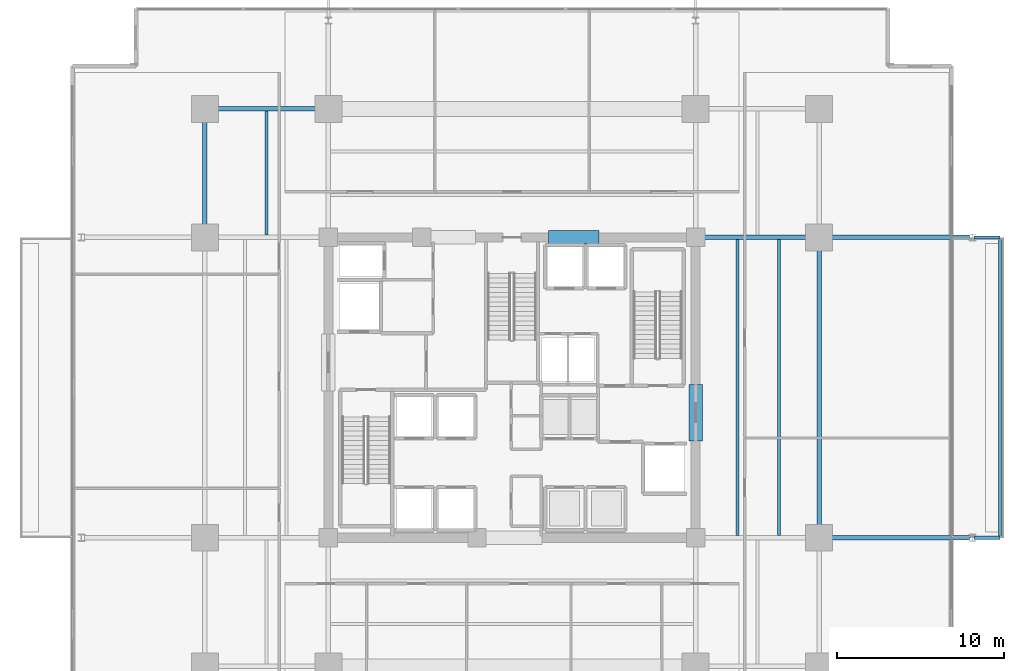
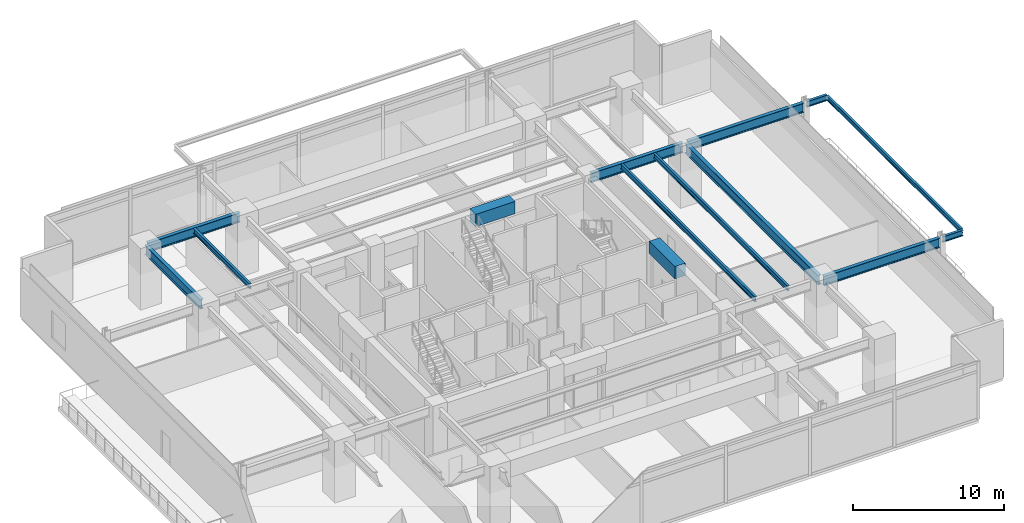
# One storey, part 7 of 24: 14 beams.
"""IFC4 building model written with IfcOpenShell, lengths in metres."""

from ifc_helpers import new_model, si_unit, direction, frame, origin, origin_2d, place, context, subcontext, project, spatial, rectangle, i_section, extrude, material, material_profile, profile_set, type_object, element, save


model = new_model("IFC4")

# Units and contexts
model_context = context("Model", 3, precision=1e-05, world=origin(), true_north=direction((0.0, 1.0)))
body_context = subcontext(model_context, "Body", "Model", "MODEL_VIEW")
ifc_project = project(units=[si_unit("LENGTHUNIT", "METRE"), si_unit("AREAUNIT", "SQUARE_METRE"), si_unit("VOLUMEUNIT", "CUBIC_METRE"), si_unit("PLANEANGLEUNIT", "RADIAN"), si_unit("MASSUNIT", "GRAM", prefix="KILO")], contexts=[model_context])

# Site, building, storey
site_placement = place(None, origin())
site = spatial("IfcSite", under=ifc_project, at=site_placement, CompositionType="ELEMENT")
building_placement = place(site_placement, origin())
building = spatial("IfcBuilding", under=site, at=building_placement, Name="Kovane Verandah Tower", CompositionType="ELEMENT")
storey_placement = place(building_placement, frame((0.0, 0.0, 118.39990234375)))
storey = spatial("IfcBuildingStorey", under=building, at=storey_placement, Name="L27", CompositionType="ELEMENT", Elevation=118.39990234375)

# Beams
ifc_material_1 = material(Name="Concrete C60/75", Category="concrete")
ifc_material_profile_1 = material_profile(ifc_material_1, rectangle(XDim=0.800048828125, YDim=1.0, at=origin_2d()), Name="RCB800x1000")
ifc_profile_set_1 = profile_set([ifc_material_profile_1], Name="Concrete C60/75")
beam_type_1 = type_object("IfcBeamType", Name="BM-LINTEL-800x1000", PredefinedType="LINTEL", material=ifc_profile_set_1)
beam_1_placement = place(storey_placement, frame((42.199951171875, 36.5, 4.2001953125), z_axis=(1.0, 0.0, 0.0), x_axis=(0.0, 1.0, 0.0)))
element("IfcBeam", 1, at=beam_1_placement, inside=storey, type_object=beam_type_1, Name="L27 Core Coupling Lintel CL-N2", PredefinedType="LINTEL", context=body_context, shape_type="SweptSolid", body=[
    extrude(rectangle(XDim=0.800048828125, YDim=1.0, at=origin_2d()), origin(), (0.0, 0.0, 1.0), 3.0),
])
beam_2_placement = place(storey_placement, frame((51.0, 24.300048828125, 4.2001953125), z_axis=(0.0, 1.0, 0.0), x_axis=(-1.0, 0.0, 0.0)))
element("IfcBeam", 2, at=beam_2_placement, inside=storey, type_object=beam_type_1, Name="L27 Core Coupling Lintel CL-E", PredefinedType="LINTEL", context=body_context, shape_type="SweptSolid", body=[
    extrude(rectangle(XDim=0.800048828125, YDim=1.0, at=origin_2d()), origin(), (0.0, 0.0, 1.0), 3.39990234375),
])
ifc_material_2 = material(Name="Steel S355", Category="steel")
ifc_material_profile_2 = material_profile(ifc_material_2, i_section(OverallWidth=0.26806640625, OverallDepth=0.769775390625, WebThickness=0.015625, FlangeThickness=0.025390625, FilletRadius=0.0166015625, at=origin_2d()), Name="UB762x267x197")
ifc_profile_set_2 = profile_set([ifc_material_profile_2], Name="Steel S355")
beam_type_2 = type_object("IfcBeamType", Name="BM-UB762x197", PredefinedType="BEAM", material=ifc_profile_set_2)
beam_3_placement = place(storey_placement, frame((21.780029296875, 44.199951171875, 4.315185546875), z_axis=(1.0, 0.0, 0.0), x_axis=(0.0, 1.0, 0.0)))
element("IfcBeam", 3, at=beam_3_placement, inside=storey, type_object=beam_type_2, Name="L27 Primary Tower Girder G-RN1", PredefinedType="BEAM", context=body_context, shape_type="SweptSolid", body=[
    extrude(i_section(OverallWidth=0.26806640625, OverallDepth=0.769775390625, WebThickness=0.015625, FlangeThickness=0.025390625, FilletRadius=0.0166015625, at=origin_2d()), origin(), (0.0, 0.0, 1.0), 7.0400390625),
])
beam_4_placement = place(storey_placement, frame((21.60009765625, 36.679931640625, 4.315185546875), z_axis=(0.0, 1.0, 0.0), x_axis=(-1.0, 0.0, 0.0)))
element("IfcBeam", 4, at=beam_4_placement, inside=storey, type_object=beam_type_2, Name="L27 Primary Tower Girder G-RW3", PredefinedType="BEAM", context=body_context, shape_type="SweptSolid", body=[
    extrude(i_section(OverallWidth=0.26806640625, OverallDepth=0.769775390625, WebThickness=0.015625, FlangeThickness=0.025390625, FilletRadius=0.0166015625, at=origin_2d()), origin(), (0.0, 0.0, 1.0), 7.340087890625),
])
beam_5_placement = place(storey_placement, frame((58.39990234375, 18.679931640625, 4.315185546875), z_axis=(0.0, 1.0, 0.0), x_axis=(-1.0, 0.0, 0.0)))
element("IfcBeam", 5, at=beam_5_placement, inside=storey, type_object=beam_type_2, Name="L27 Primary Tower Girder G-RE2", PredefinedType="BEAM", context=body_context, shape_type="SweptSolid", body=[
    extrude(i_section(OverallWidth=0.26806640625, OverallDepth=0.769775390625, WebThickness=0.015625, FlangeThickness=0.025390625, FilletRadius=0.0166015625, at=origin_2d()), origin(), (0.0, 0.0, 1.0), 17.64013671875),
])
beam_6_placement = place(storey_placement, frame((51.179931640625, 36.5, 4.315185546875), z_axis=(1.0, 0.0, 0.0), x_axis=(0.0, 1.0, 0.0)))
element("IfcBeam", 6, at=beam_6_placement, inside=storey, type_object=beam_type_2, Name="L27 Primary Tower Girder G-E2", PredefinedType="BEAM", context=body_context, shape_type="SweptSolid", body=[
    extrude(i_section(OverallWidth=0.26806640625, OverallDepth=0.769775390625, WebThickness=0.015625, FlangeThickness=0.025390625, FilletRadius=0.0166015625, at=origin_2d()), origin(), (0.0, 0.0, 1.0), 7.0400390625),
])
for number, where, z_axis, x_axis, name in (
    (7, (58.580078125, 18.5, 4.315185546875), (1.0, 0.0, 0.0), (0.0, 1.0, 0.0), "L27 Primary Tower Girder G-VE1"),
    (8, (58.580078125, 36.5, 4.315185546875), (1.0, 0.0, 0.0), (0.0, 1.0, 0.0), "L27 Primary Tower Girder G-VE2"),
):
    element("IfcBeam", number, at=place(storey_placement, frame(where, z_axis=z_axis, x_axis=x_axis)), inside=storey, type_object=beam_type_2, Name=name, PredefinedType="BEAM", context=body_context, shape_type="SweptSolid", body=[
        extrude(i_section(OverallWidth=0.26806640625, OverallDepth=0.769775390625, WebThickness=0.015625, FlangeThickness=0.025390625, FilletRadius=0.0166015625, at=origin_2d()), origin(), (0.0, 0.0, 1.0), 8.83984375),
    ])
ifc_material_profile_3 = material_profile(ifc_material_2, i_section(OverallWidth=0.179443359375, OverallDepth=0.412841796875, WebThickness=0.009521484375, FlangeThickness=0.01611328125, FilletRadius=0.01025390625, at=origin_2d()), Name="UB406x178x74")
ifc_profile_set_3 = profile_set([ifc_material_profile_3], Name="Steel S355")
beam_type_3 = type_object("IfcBeamType", Name="JST-UB406x74", PredefinedType="JOIST", material=ifc_profile_set_3)
for number, where, z_axis, x_axis, name in (
    (9, (53.5, 18.632080078125, 4.49365234375), (0.0, 1.0, 0.0), (-1.0, 0.0, 0.0), "L27 Secondary Composite Joist J-E1"),
    (10, (56.0, 18.632080078125, 4.49365234375), (0.0, 1.0, 0.0), (-1.0, 0.0, 0.0), "L27 Secondary Composite Joist J-E2"),
):
    element("IfcBeam", number, at=place(storey_placement, frame(where, z_axis=z_axis, x_axis=x_axis)), inside=storey, type_object=beam_type_3, Name=name, PredefinedType="JOIST", context=body_context, shape_type="SweptSolid", body=[
        extrude(i_section(OverallWidth=0.179443359375, OverallDepth=0.412841796875, WebThickness=0.009521484375, FlangeThickness=0.01611328125, FilletRadius=0.01025390625, at=origin_2d()), origin(), (0.0, 0.0, 1.0), 17.73583984375),
    ])
beam_7_placement = place(storey_placement, frame((25.300048828125, 36.632080078125, 4.49365234375), z_axis=(0.0, 1.0, 0.0), x_axis=(-1.0, 0.0, 0.0)))
element("IfcBeam", 11, at=beam_7_placement, inside=storey, type_object=beam_type_3, Name="L27 Secondary Composite Joist J-NW1", PredefinedType="JOIST", context=body_context, shape_type="SweptSolid", body=[
    extrude(i_section(OverallWidth=0.179443359375, OverallDepth=0.412841796875, WebThickness=0.009521484375, FlangeThickness=0.01611328125, FilletRadius=0.01025390625, at=origin_2d()), origin(), (0.0, 0.0, 1.0), 7.43603515625),
])
ifc_material_profile_4 = material_profile(ifc_material_2, i_section(OverallWidth=0.19287109375, OverallDepth=0.46728515625, WebThickness=0.011474609375, FlangeThickness=0.01953125, FilletRadius=0.01025390625, at=origin_2d()), Name="UB457x191x98")
ifc_profile_set_4 = profile_set([ifc_material_profile_4], Name="Steel S355")
beam_type_4 = type_object("IfcBeamType", Name="JST-UB457x98", PredefinedType="JOIST", material=ifc_profile_set_4)
for number, where, z_axis, x_axis, name in (
    (12, (67.679931640625, 18.5, 4.466552734375), (1.0, 0.0, 0.0), (0.0, 1.0, 0.0), "L27 East Planter Girder 1"),
    (13, (67.679931640625, 36.5, 4.466552734375), (1.0, 0.0, 0.0), (0.0, 1.0, 0.0), "L27 East Planter Girder 2"),
):
    element("IfcBeam", number, at=place(storey_placement, frame(where, z_axis=z_axis, x_axis=x_axis)), inside=storey, type_object=beam_type_4, Name=name, PredefinedType="JOIST", context=body_context, shape_type="SweptSolid", body=[
        extrude(i_section(OverallWidth=0.19287109375, OverallDepth=0.46728515625, WebThickness=0.011474609375, FlangeThickness=0.01953125, FilletRadius=0.01025390625, at=origin_2d()), origin(), (0.0, 0.0, 1.0), 1.5546875),
    ])
ifc_material_profile_5 = material_profile(ifc_material_2, i_section(OverallWidth=0.173095703125, OverallDepth=0.36328125, WebThickness=0.009033203125, FlangeThickness=0.015625, FilletRadius=0.01025390625, at=origin_2d()), Name="UB356x171x67")
ifc_profile_set_5 = profile_set([ifc_material_profile_5], Name="Steel S355")
beam_type_5 = type_object("IfcBeamType", Name="SPD-UB356x67", PredefinedType="USERDEFINED", material=ifc_profile_set_5)
beam_8_placement = place(storey_placement, frame((69.234619140625, 18.594482421875, 4.518310546875), z_axis=(0.0, 1.0, 0.0), x_axis=(-1.0, 0.0, 0.0)))
element("IfcBeam", 14, at=beam_8_placement, inside=storey, type_object=beam_type_5, Name="L27 East Planter Edge Spandrel", ObjectType="SPANDREL", PredefinedType="USERDEFINED", context=body_context, shape_type="SweptSolid", body=[
    extrude(i_section(OverallWidth=0.173095703125, OverallDepth=0.36328125, WebThickness=0.009033203125, FlangeThickness=0.015625, FilletRadius=0.01025390625, at=origin_2d()), origin(), (0.0, 0.0, 1.0), 17.81103515625),
])

save(model, "model.ifc")
